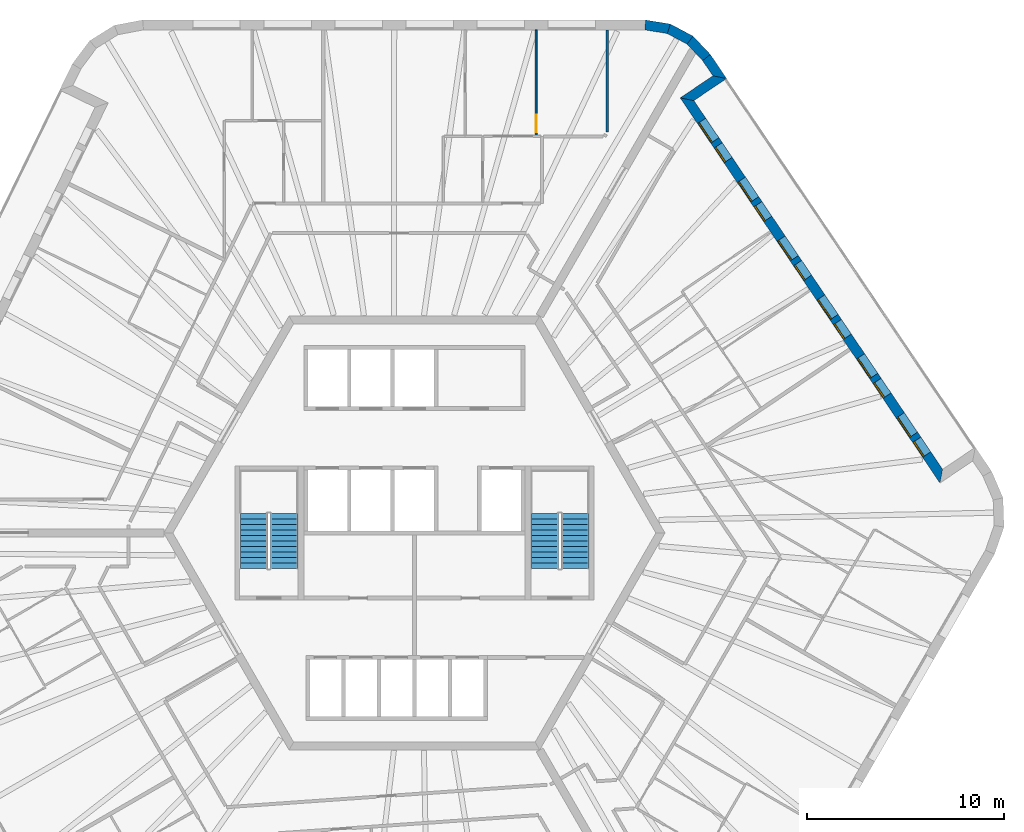
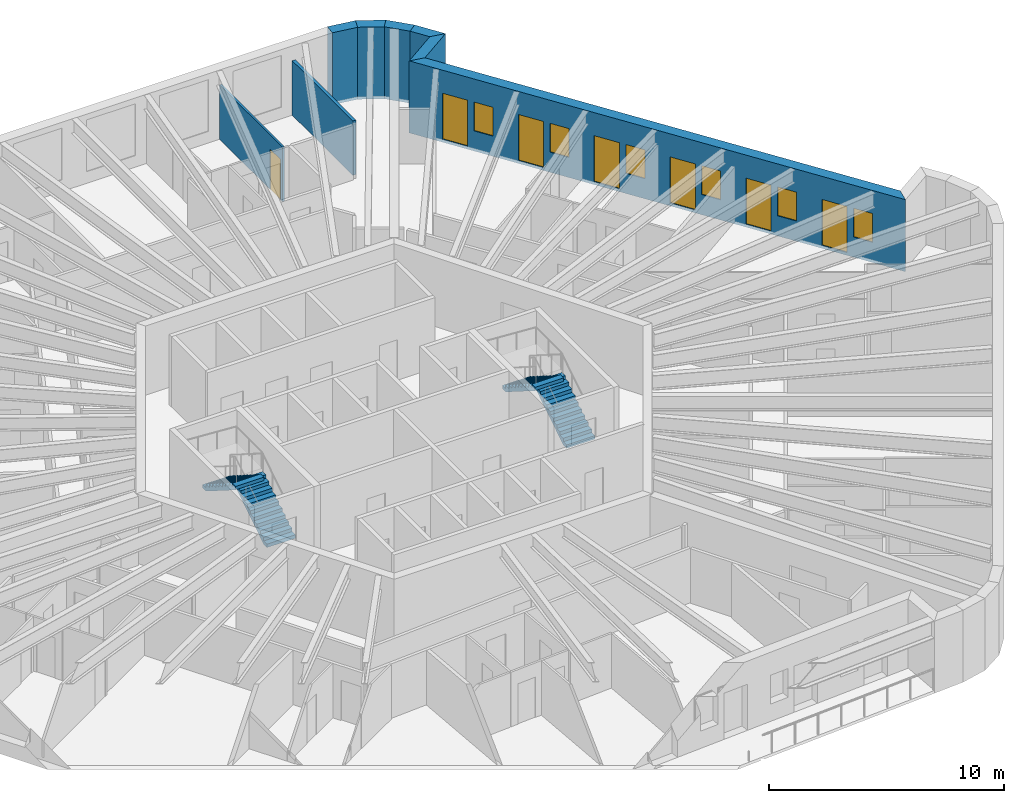
# One storey, part 11 of 12: 8 walls, 7 doors, 6 windows, 4 stair flights, 13 openings, 2 elements without a shape of their own.
"""IFC4 building model written with IfcOpenShell, lengths in metres."""

from ifc_helpers import new_model, si_unit, direction, frame, frame_2d, origin, place, context, subcontext, project, spatial, polyline, rectangle, outline, extrude, material, layer, layer_set, type_object, element, fill, aggregate, save


model = new_model("IFC4")

# Units and contexts
model_context = context("Model", 3, precision=1e-05, world=origin(), true_north=direction((0.0, 1.0)))
body_context = subcontext(model_context, "Body", "Model", "MODEL_VIEW")
ifc_project = project(units=[si_unit("LENGTHUNIT", "METRE"), si_unit("AREAUNIT", "SQUARE_METRE"), si_unit("VOLUMEUNIT", "CUBIC_METRE"), si_unit("PLANEANGLEUNIT", "RADIAN"), si_unit("MASSUNIT", "GRAM", prefix="KILO")], contexts=[model_context])

# Site, building, storey
site_placement = place(None, origin())
site = spatial("IfcSite", under=ifc_project, at=site_placement, CompositionType="ELEMENT")
building_placement = place(site_placement, origin())
building = spatial("IfcBuilding", under=site, at=building_placement, Name="Tarnside Tower", CompositionType="ELEMENT")
storey_placement = place(building_placement, frame((0.0, 0.0, 334.199951171875)))
storey = spatial("IfcBuildingStorey", under=building, at=storey_placement, Name="L81", CompositionType="ELEMENT", Elevation=334.199951171875)

# Wall
ifc_material_1 = material(Name="Gypsum board partition on steel studs", Category="steel")
ifc_layer_1 = layer(ifc_material_1, 0.14990234375)
ifc_layer_set_1 = layer_set([ifc_layer_1], Name="Corridor wall 150 EI 60")
wall_type_1 = type_object("IfcWallType", Name="Corridor wall 150 EI 60", PredefinedType="PARTITIONING", material=ifc_layer_set_1)
wall_1_placement = place(storey_placement, frame((9.775146484375, 25.5, 0.0), z_axis=(0.0, 0.0, 1.0), x_axis=(0.0, -1.0, 0.0)))
element("IfcWall", 1, at=wall_1_placement, inside=storey, type_object=wall_type_1, Name="Corridor wall 26005", PredefinedType="PARTITIONING", context=body_context, shape_type="SweptSolid", body=[
    extrude(rectangle(XDim=5.1689453125, YDim=0.14990234375, at=frame_2d((2.58447265625, 0.0))), origin(), (0.0, 0.0, 1.0), 2.837890625),
])

# Wall, openings, doors, windows
ifc_material_2 = material(Name="Dark zinc cladding")
ifc_layer_2 = layer(ifc_material_2, 0.10205078125)
ifc_material_3 = material(Name="Concrete C60/75 precast", Category="concrete")
ifc_layer_3 = layer(ifc_material_3, 0.298095703125)
ifc_material_4 = material(Name="Mineral wool insulation")
ifc_layer_4 = layer(ifc_material_4, 0.10009765625)
ifc_layer_set_2 = layer_set([ifc_layer_2, ifc_layer_3, ifc_layer_4], Name="Loggia wall 500 zinc faced")
wall_type_2 = type_object("IfcWallType", Name="Loggia wall 500 zinc faced", PredefinedType="SOLIDWALL", material=ifc_layer_set_2)
wall_2_placement = place(storey_placement, frame((26.705810546875, 2.87890625, -0.14990234375), z_axis=(0.0, 0.0, 1.0), x_axis=(-0.559197891507, 0.829034208061, 0.0)))
wall_2 = element("IfcWall", 2, at=wall_2_placement, inside=storey, type_object=wall_type_2, Name="Tube wall L81 F6 back 30", PredefinedType="SOLIDWALL", context=body_context, shape_type="SweptSolid", body=[
    extrude(outline(polyline([(0.25, -0.25), (22.794677734375, -0.25), (23.294677734375, 0.25), (-0.25, 0.25), (0.25, -0.25)])), origin(), (0.0, 0.0, 1.0), 3.75),
])
opening_1_placement = place(wall_2_placement, frame((1.322509765625, 0.0, 1.050048828125)))
opening_1 = element("IfcOpeningElement", 3, at=opening_1_placement, cuts=wall_2, Name="Opening WL500", PredefinedType="OPENING", context=body_context, shape_type="SweptSolid", body=[
    extrude(rectangle(XDim=0.89990234375, YDim=1.5, at=frame_2d((0.449951171875, 0.75))), frame((0.0, 0.260009765625, 0.0), z_axis=(0.0, -1.0, 0.0), x_axis=(1.0, 0.0, 0.0)), (0.0, 0.0, 1.0), 0.52001953125),
])
opening_2_placement = place(wall_2_placement, frame((2.5224609375, 0.0, 0.14990234375)))
opening_2 = element("IfcOpeningElement", 4, at=opening_2_placement, cuts=wall_2, Name="Opening DB500", PredefinedType="OPENING", context=body_context, shape_type="SweptSolid", body=[
    extrude(rectangle(XDim=1.199951171875, YDim=2.39990234375, at=frame_2d((0.60009765625, 1.199951171875))), frame((0.0, 0.260009765625, 0.0), z_axis=(0.0, -1.0, 0.0), x_axis=(1.0, 0.0, 0.0)), (0.0, 0.0, 1.0), 0.52001953125),
])
opening_3_placement = place(wall_2_placement, frame((4.92236328125, 0.0, 1.050048828125)))
opening_3 = element("IfcOpeningElement", 5, at=opening_3_placement, cuts=wall_2, Name="Opening WL500", PredefinedType="OPENING", context=body_context, shape_type="SweptSolid", body=[
    extrude(rectangle(XDim=0.89990234375, YDim=1.5, at=frame_2d((0.449951171875, 0.75))), frame((0.0, 0.260009765625, 0.0), z_axis=(0.0, -1.0, 0.0), x_axis=(1.0, 0.0, 0.0)), (0.0, 0.0, 1.0), 0.52001953125),
])
opening_4_placement = place(wall_2_placement, frame((6.122314453125, 0.0, 0.14990234375)))
opening_4 = element("IfcOpeningElement", 6, at=opening_4_placement, cuts=wall_2, Name="Opening DB500", PredefinedType="OPENING", context=body_context, shape_type="SweptSolid", body=[
    extrude(rectangle(XDim=1.199951171875, YDim=2.39990234375, at=frame_2d((0.60009765625, 1.199951171875))), frame((0.0, 0.260009765625, 0.0), z_axis=(0.0, -1.0, 0.0), x_axis=(1.0, 0.0, 0.0)), (0.0, 0.0, 1.0), 0.52001953125),
])
opening_5_placement = place(wall_2_placement, frame((8.5224609375, 0.0, 1.050048828125)))
opening_5 = element("IfcOpeningElement", 7, at=opening_5_placement, cuts=wall_2, Name="Opening WL500", PredefinedType="OPENING", context=body_context, shape_type="SweptSolid", body=[
    extrude(rectangle(XDim=0.89990234375, YDim=1.5, at=frame_2d((0.449951171875, 0.75))), frame((0.0, 0.260009765625, 0.0), z_axis=(0.0, -1.0, 0.0), x_axis=(1.0, 0.0, 0.0)), (0.0, 0.0, 1.0), 0.52001953125),
])
opening_6_placement = place(wall_2_placement, frame((9.722412109375, 0.0, 0.14990234375)))
opening_6 = element("IfcOpeningElement", 8, at=opening_6_placement, cuts=wall_2, Name="Opening DB500", PredefinedType="OPENING", context=body_context, shape_type="SweptSolid", body=[
    extrude(rectangle(XDim=1.199951171875, YDim=2.39990234375, at=frame_2d((0.60009765625, 1.199951171875))), frame((0.0, 0.260009765625, 0.0), z_axis=(0.0, -1.0, 0.0), x_axis=(1.0, 0.0, 0.0)), (0.0, 0.0, 1.0), 0.52001953125),
])
opening_7_placement = place(wall_2_placement, frame((12.122314453125, 0.0, 1.050048828125)))
opening_7 = element("IfcOpeningElement", 9, at=opening_7_placement, cuts=wall_2, Name="Opening WL500", PredefinedType="OPENING", context=body_context, shape_type="SweptSolid", body=[
    extrude(rectangle(XDim=0.89990234375, YDim=1.5, at=frame_2d((0.449951171875, 0.75))), frame((0.0, 0.260009765625, 0.0), z_axis=(0.0, -1.0, 0.0), x_axis=(1.0, 0.0, 0.0)), (0.0, 0.0, 1.0), 0.52001953125),
])
opening_8_placement = place(wall_2_placement, frame((13.322509765625, 0.0, 0.14990234375)))
opening_8 = element("IfcOpeningElement", 10, at=opening_8_placement, cuts=wall_2, Name="Opening DB500", PredefinedType="OPENING", context=body_context, shape_type="SweptSolid", body=[
    extrude(rectangle(XDim=1.199951171875, YDim=2.39990234375, at=frame_2d((0.60009765625, 1.199951171875))), frame((0.0, 0.260009765625, 0.0), z_axis=(0.0, -1.0, 0.0), x_axis=(1.0, 0.0, 0.0)), (0.0, 0.0, 1.0), 0.52001953125),
])
opening_9_placement = place(wall_2_placement, frame((15.722412109375, 0.0, 1.050048828125)))
opening_9 = element("IfcOpeningElement", 11, at=opening_9_placement, cuts=wall_2, Name="Opening WL500", PredefinedType="OPENING", context=body_context, shape_type="SweptSolid", body=[
    extrude(rectangle(XDim=0.89990234375, YDim=1.5, at=frame_2d((0.449951171875, 0.75))), frame((0.0, 0.260009765625, 0.0), z_axis=(0.0, -1.0, 0.0), x_axis=(1.0, 0.0, 0.0)), (0.0, 0.0, 1.0), 0.52001953125),
])
opening_10_placement = place(wall_2_placement, frame((16.92236328125, 0.0, 0.14990234375)))
opening_10 = element("IfcOpeningElement", 12, at=opening_10_placement, cuts=wall_2, Name="Opening DB500", PredefinedType="OPENING", context=body_context, shape_type="SweptSolid", body=[
    extrude(rectangle(XDim=1.199951171875, YDim=2.39990234375, at=frame_2d((0.60009765625, 1.199951171875))), frame((0.0, 0.260009765625, 0.0), z_axis=(0.0, -1.0, 0.0), x_axis=(1.0, 0.0, 0.0)), (0.0, 0.0, 1.0), 0.52001953125),
])
opening_11_placement = place(wall_2_placement, frame((19.322509765625, 0.0, 1.050048828125)))
opening_11 = element("IfcOpeningElement", 13, at=opening_11_placement, cuts=wall_2, Name="Opening WL500", PredefinedType="OPENING", context=body_context, shape_type="SweptSolid", body=[
    extrude(rectangle(XDim=0.89990234375, YDim=1.5, at=frame_2d((0.449951171875, 0.75))), frame((0.0, 0.260009765625, 0.0), z_axis=(0.0, -1.0, 0.0), x_axis=(1.0, 0.0, 0.0)), (0.0, 0.0, 1.0), 0.52001953125),
])
opening_12_placement = place(wall_2_placement, frame((20.5224609375, 0.0, 0.14990234375)))
opening_12 = element("IfcOpeningElement", 14, at=opening_12_placement, cuts=wall_2, Name="Opening DB500", PredefinedType="OPENING", context=body_context, shape_type="SweptSolid", body=[
    extrude(rectangle(XDim=1.199951171875, YDim=2.39990234375, at=frame_2d((0.60009765625, 1.199951171875))), frame((0.0, 0.260009765625, 0.0), z_axis=(0.0, -1.0, 0.0), x_axis=(1.0, 0.0, 0.0)), (0.0, 0.0, 1.0), 0.52001953125),
])
ifc_material_5 = material(Name="Aluminium-framed double glazing", Category="aluminium")
door_type_1 = type_object("IfcDoorType", Name="Balcony sliding door 1200 x 2400 in 500 wall", OperationType="SLIDING_TO_LEFT", PredefinedType="DOOR", material=ifc_material_5)
door_1_placement = place(opening_2_placement, frame((0.0, 0.1748046875, 0.0)))
door_1 = element("IfcDoor", 15, at=door_1_placement, inside=storey, type_object=door_type_1, Name="E.BD.L81.F6.00", OperationType="SLIDING_TO_LEFT", OverallHeight=2.39990234375, OverallWidth=1.199951171875, PredefinedType="DOOR", context=body_context, shape_type="SweptSolid", body=[
    extrude(rectangle(XDim=1.199951171875, YDim=2.39990234375, at=frame_2d((0.60009765625, 1.199951171875))), frame((0.0, 0.02490234375, 0.0), z_axis=(0.0, -1.0, 0.0), x_axis=(1.0, 0.0, 0.0)), (0.0, 0.0, 1.0), 0.050048828125),
])
fill(opening_2, door_1)
door_2_placement = place(opening_4_placement, frame((0.0, 0.1748046875, 0.0)))
door_2 = element("IfcDoor", 16, at=door_2_placement, inside=storey, type_object=door_type_1, Name="E.BD.L81.F6.01", OperationType="SLIDING_TO_LEFT", OverallHeight=2.39990234375, OverallWidth=1.199951171875, PredefinedType="DOOR", context=body_context, shape_type="SweptSolid", body=[
    extrude(rectangle(XDim=1.199951171875, YDim=2.39990234375, at=frame_2d((0.60009765625, 1.199951171875))), frame((0.0, 0.02490234375, 0.0), z_axis=(0.0, -1.0, 0.0), x_axis=(1.0, 0.0, 0.0)), (0.0, 0.0, 1.0), 0.050048828125),
])
fill(opening_4, door_2)
door_3_placement = place(opening_6_placement, frame((0.0, 0.1748046875, 0.0)))
door_3 = element("IfcDoor", 17, at=door_3_placement, inside=storey, type_object=door_type_1, Name="E.BD.L81.F6.02", OperationType="SLIDING_TO_LEFT", OverallHeight=2.39990234375, OverallWidth=1.199951171875, PredefinedType="DOOR", context=body_context, shape_type="SweptSolid", body=[
    extrude(rectangle(XDim=1.199951171875, YDim=2.39990234375, at=frame_2d((0.60009765625, 1.199951171875))), frame((0.0, 0.02490234375, 0.0), z_axis=(0.0, -1.0, 0.0), x_axis=(1.0, 0.0, 0.0)), (0.0, 0.0, 1.0), 0.050048828125),
])
fill(opening_6, door_3)
door_4_placement = place(opening_8_placement, frame((0.0, 0.1748046875, 0.0)))
door_4 = element("IfcDoor", 18, at=door_4_placement, inside=storey, type_object=door_type_1, Name="E.BD.L81.F6.03", OperationType="SLIDING_TO_LEFT", OverallHeight=2.39990234375, OverallWidth=1.199951171875, PredefinedType="DOOR", context=body_context, shape_type="SweptSolid", body=[
    extrude(rectangle(XDim=1.199951171875, YDim=2.39990234375, at=frame_2d((0.60009765625, 1.199951171875))), frame((0.0, 0.02490234375, 0.0), z_axis=(0.0, -1.0, 0.0), x_axis=(1.0, 0.0, 0.0)), (0.0, 0.0, 1.0), 0.050048828125),
])
fill(opening_8, door_4)
door_5_placement = place(opening_10_placement, frame((0.0, 0.1748046875, 0.0)))
door_5 = element("IfcDoor", 19, at=door_5_placement, inside=storey, type_object=door_type_1, Name="E.BD.L81.F6.04", OperationType="SLIDING_TO_LEFT", OverallHeight=2.39990234375, OverallWidth=1.199951171875, PredefinedType="DOOR", context=body_context, shape_type="SweptSolid", body=[
    extrude(rectangle(XDim=1.199951171875, YDim=2.39990234375, at=frame_2d((0.60009765625, 1.199951171875))), frame((0.0, 0.02490234375, 0.0), z_axis=(0.0, -1.0, 0.0), x_axis=(1.0, 0.0, 0.0)), (0.0, 0.0, 1.0), 0.050048828125),
])
fill(opening_10, door_5)
door_6_placement = place(opening_12_placement, frame((0.0, 0.1748046875, 0.0)))
door_6 = element("IfcDoor", 20, at=door_6_placement, inside=storey, type_object=door_type_1, Name="E.BD.L81.F6.05", OperationType="SLIDING_TO_LEFT", OverallHeight=2.39990234375, OverallWidth=1.199951171875, PredefinedType="DOOR", context=body_context, shape_type="SweptSolid", body=[
    extrude(rectangle(XDim=1.199951171875, YDim=2.39990234375, at=frame_2d((0.60009765625, 1.199951171875))), frame((0.0, 0.02490234375, 0.0), z_axis=(0.0, -1.0, 0.0), x_axis=(1.0, 0.0, 0.0)), (0.0, 0.0, 1.0), 0.050048828125),
])
fill(opening_12, door_6)
window_type = type_object("IfcWindowType", Name="Loggia window 900 x 1500 in 500 wall", PartitioningType="SINGLE_PANEL", PredefinedType="WINDOW", material=ifc_material_5)
window_1_placement = place(opening_1_placement, frame((0.0, 0.179931640625, 0.0)))
window_1 = element("IfcWindow", 21, at=window_1_placement, inside=storey, type_object=window_type, Name="E.LW.L81.F6.00", OverallHeight=1.5, OverallWidth=0.89990234375, PartitioningType="SINGLE_PANEL", PredefinedType="WINDOW", context=body_context, shape_type="SweptSolid", body=[
    extrude(rectangle(XDim=0.89990234375, YDim=1.5, at=frame_2d((0.449951171875, 0.75))), frame((0.0, 0.030029296875, 0.0), z_axis=(0.0, -1.0, 0.0), x_axis=(1.0, 0.0, 0.0)), (0.0, 0.0, 1.0), 0.06005859375),
])
fill(opening_1, window_1)
window_2_placement = place(opening_3_placement, frame((0.0, 0.179931640625, 0.0)))
window_2 = element("IfcWindow", 22, at=window_2_placement, inside=storey, type_object=window_type, Name="E.LW.L81.F6.01", OverallHeight=1.5, OverallWidth=0.89990234375, PartitioningType="SINGLE_PANEL", PredefinedType="WINDOW", context=body_context, shape_type="SweptSolid", body=[
    extrude(rectangle(XDim=0.89990234375, YDim=1.5, at=frame_2d((0.449951171875, 0.75))), frame((0.0, 0.030029296875, 0.0), z_axis=(0.0, -1.0, 0.0), x_axis=(1.0, 0.0, 0.0)), (0.0, 0.0, 1.0), 0.06005859375),
])
fill(opening_3, window_2)
window_3_placement = place(opening_5_placement, frame((0.0, 0.179931640625, 0.0)))
window_3 = element("IfcWindow", 23, at=window_3_placement, inside=storey, type_object=window_type, Name="E.LW.L81.F6.02", OverallHeight=1.5, OverallWidth=0.89990234375, PartitioningType="SINGLE_PANEL", PredefinedType="WINDOW", context=body_context, shape_type="SweptSolid", body=[
    extrude(rectangle(XDim=0.89990234375, YDim=1.5, at=frame_2d((0.449951171875, 0.75))), frame((0.0, 0.030029296875, 0.0), z_axis=(0.0, -1.0, 0.0), x_axis=(1.0, 0.0, 0.0)), (0.0, 0.0, 1.0), 0.06005859375),
])
fill(opening_5, window_3)
window_4_placement = place(opening_7_placement, frame((0.0, 0.179931640625, 0.0)))
window_4 = element("IfcWindow", 24, at=window_4_placement, inside=storey, type_object=window_type, Name="E.LW.L81.F6.03", OverallHeight=1.5, OverallWidth=0.89990234375, PartitioningType="SINGLE_PANEL", PredefinedType="WINDOW", context=body_context, shape_type="SweptSolid", body=[
    extrude(rectangle(XDim=0.89990234375, YDim=1.5, at=frame_2d((0.449951171875, 0.75))), frame((0.0, 0.030029296875, 0.0), z_axis=(0.0, -1.0, 0.0), x_axis=(1.0, 0.0, 0.0)), (0.0, 0.0, 1.0), 0.06005859375),
])
fill(opening_7, window_4)
window_5_placement = place(opening_9_placement, frame((0.0, 0.179931640625, 0.0)))
window_5 = element("IfcWindow", 25, at=window_5_placement, inside=storey, type_object=window_type, Name="E.LW.L81.F6.04", OverallHeight=1.5, OverallWidth=0.89990234375, PartitioningType="SINGLE_PANEL", PredefinedType="WINDOW", context=body_context, shape_type="SweptSolid", body=[
    extrude(rectangle(XDim=0.89990234375, YDim=1.5, at=frame_2d((0.449951171875, 0.75))), frame((0.0, 0.030029296875, 0.0), z_axis=(0.0, -1.0, 0.0), x_axis=(1.0, 0.0, 0.0)), (0.0, 0.0, 1.0), 0.06005859375),
])
fill(opening_9, window_5)
window_6_placement = place(opening_11_placement, frame((0.0, 0.179931640625, 0.0)))
window_6 = element("IfcWindow", 26, at=window_6_placement, inside=storey, type_object=window_type, Name="E.LW.L81.F6.05", OverallHeight=1.5, OverallWidth=0.89990234375, PartitioningType="SINGLE_PANEL", PredefinedType="WINDOW", context=body_context, shape_type="SweptSolid", body=[
    extrude(rectangle(XDim=0.89990234375, YDim=1.5, at=frame_2d((0.449951171875, 0.75))), frame((0.0, 0.030029296875, 0.0), z_axis=(0.0, -1.0, 0.0), x_axis=(1.0, 0.0, 0.0)), (0.0, 0.0, 1.0), 0.06005859375),
])
fill(opening_11, window_6)

# Walls
wall_3_placement = place(storey_placement, frame((13.8193359375, 21.983642578125, -0.14990234375), z_axis=(0.0, 0.0, 1.0), x_axis=(0.829052389485, 0.559170935841, 0.0)))
element("IfcWall", 27, at=wall_3_placement, inside=storey, type_object=wall_type_2, Name="Tube wall L81 F6 return 31", PredefinedType="SOLIDWALL", context=body_context, shape_type="SweptSolid", body=[
    extrude(outline(polyline([(0.25, -0.25), (2.25, -0.25), (1.75, 0.25), (-0.25, 0.25), (0.25, -0.25)])), origin(), (0.0, 0.0, 1.0), 3.75),
])
wall_4_placement = place(storey_placement, frame((15.4775390625, 23.10205078125, -0.14990234375), z_axis=(0.0, 0.0, 1.0), x_axis=(-0.559245726333, 0.829001940636, 0.0)))
element("IfcWall", 28, at=wall_4_placement, inside=storey, type_object=wall_type_2, Name="Tube wall L81 F6 stub 32", PredefinedType="SOLIDWALL", context=body_context, shape_type="SweptSolid", body=[
    extrude(outline(polyline([(-0.25, -0.25), (1.220703125, -0.25), (1.1796875, 0.25), (0.25, 0.25), (-0.25, -0.25)])), origin(), (0.0, 0.0, 1.0), 3.75),
])

# Wall, opening, door
ifc_layer_5 = layer(ifc_material_1, 0.10009765625)
ifc_layer_set_3 = layer_set([ifc_layer_5], Name="Partition 100")
wall_type_3 = type_object("IfcWallType", Name="Partition 100", PredefinedType="PARTITIONING", material=ifc_layer_set_3)
wall_5_placement = place(storey_placement, frame((6.17529296875, 25.5, 0.0), z_axis=(0.0, 0.0, 1.0), x_axis=(0.0, -1.0, 0.0)))
wall_5 = element("IfcWall", 29, at=wall_5_placement, inside=storey, type_object=wall_type_3, Name="Partition wall 26093", PredefinedType="PARTITIONING", context=body_context, shape_type="SweptSolid", body=[
    extrude(rectangle(XDim=5.35009765625, YDim=0.10009765625, at=frame_2d((2.675048828125, 0.0))), origin(), (0.0, 0.0, 1.0), 2.837890625),
])
opening_13_placement = place(wall_5_placement, frame((4.300048828125, 0.0, 0.0)))
opening_13 = element("IfcOpeningElement", 30, at=opening_13_placement, cuts=wall_5, Name="Opening D-I1", PredefinedType="OPENING", context=body_context, shape_type="SweptSolid", body=[
    extrude(rectangle(XDim=0.89990234375, YDim=2.10009765625, at=frame_2d((0.449951171875, 1.050048828125))), frame((0.0, 0.06005859375, 0.0), z_axis=(0.0, -1.0, 0.0), x_axis=(1.0, 0.0, 0.0)), (0.0, 0.0, 1.0), 0.1201171875),
])
ifc_material_6 = material(Name="Timber door leaf", Category="wood")
door_type_2 = type_object("IfcDoorType", Name="Internal door 900", OperationType="NOTDEFINED", PredefinedType="DOOR", material=ifc_material_6)
door_7_placement = place(opening_13_placement, origin())
door_7 = element("IfcDoor", 31, at=door_7_placement, inside=storey, type_object=door_type_2, Name="Internal door 26008", OperationType="SINGLE_SWING_RIGHT", OverallHeight=2.10009765625, OverallWidth=0.89990234375, PredefinedType="DOOR", context=body_context, shape_type="SweptSolid", body=[
    extrude(rectangle(XDim=0.89990234375, YDim=2.10009765625, at=frame_2d((0.449951171875, 1.050048828125))), frame((0.0, 0.02490234375, 0.0), z_axis=(0.0, -1.0, 0.0), x_axis=(1.0, 0.0, 0.0)), (0.0, 0.0, 1.0), 0.050048828125),
])
fill(opening_13, door_7)

# Walls
ifc_material_7 = material(Name="Facing brick", Category="masonry")
ifc_layer_6 = layer(ifc_material_7, 0.10205078125)
ifc_layer_7 = layer(ifc_material_3, 0.298095703125)
ifc_layer_8 = layer(ifc_material_4, 0.10009765625)
ifc_layer_set_4 = layer_set([ifc_layer_6, ifc_layer_7, ifc_layer_8], Name="Tube wall 500 brick faced")
wall_type_4 = type_object("IfcWallType", Name="Tube wall 500 brick faced", PredefinedType="SOLIDWALL", material=ifc_layer_set_4)
wall_6_placement = place(storey_placement, frame((14.806396484375, 24.096923828125, -0.14990234375), z_axis=(0.0, 0.0, 1.0), x_axis=(-0.686234452793, 0.727380420275, 0.0)))
element("IfcWall", 32, at=wall_6_placement, inside=storey, type_object=wall_type_4, Name="Tube wall L81 F6 chord 33", PredefinedType="SOLIDWALL", context=body_context, shape_type="SweptSolid", body=[
    extrude(outline(polyline([(-0.0205078125, -0.25), (1.25732421875, -0.25), (1.17529296875, 0.25), (0.0205078125, 0.25), (-0.0205078125, -0.25)])), origin(), (0.0, 0.0, 1.0), 3.75),
])
wall_7_placement = place(storey_placement, frame((13.9716796875, 24.981689453125, -0.14990234375), z_axis=(0.0, 0.0, 1.0), x_axis=(-0.882902492938, 0.469556373575, 0.0)))
element("IfcWall", 33, at=wall_7_placement, inside=storey, type_object=wall_type_4, Name="Tube wall L81 F6 chord 34", PredefinedType="SOLIDWALL", context=body_context, shape_type="SweptSolid", body=[
    extrude(outline(polyline([(-0.041015625, -0.25), (1.257080078125, -0.25), (1.175048828125, 0.25), (0.041015625, 0.25), (-0.041015625, -0.25)])), origin(), (0.0, 0.0, 1.0), 3.75),
])
wall_8_placement = place(storey_placement, frame((12.89794921875, 25.552734375, -0.14990234375), z_axis=(0.0, 0.0, 1.0), x_axis=(-0.986765617372, 0.16215306464, 0.0)))
element("IfcWall", 34, at=wall_8_placement, inside=storey, type_object=wall_type_4, Name="Tube wall L81 F6 chord 35", PredefinedType="SOLIDWALL", context=body_context, shape_type="SweptSolid", body=[
    extrude(outline(polyline([(-0.041015625, -0.25), (1.237060546875, -0.25), (1.196044921875, 0.25), (0.041015625, 0.25), (-0.041015625, -0.25)])), origin(), (0.0, 0.0, 1.0), 3.75),
])

# Stair, stair flights
ifc_material_8 = material(Name="Concrete C40/50", Category="concrete")
stair_type = type_object("IfcStairType", Name="Exit stair 1400 clear", PredefinedType="HALF_TURN_STAIR", material=ifc_material_8)
stair_1_placement = place(storey_placement, origin())
stair_1 = element("IfcStair", 35, at=stair_1_placement, inside=storey, type_object=stair_type, Name="L81 Exit stair 1", PredefinedType="HALF_TURN_STAIR")
stair_flight_type = type_object("IfcStairFlightType", Name="Exit stair flight 1400", PredefinedType="STRAIGHT", material=ifc_material_8)
stair_flight_1_placement = place(storey_placement, frame((8.14990234375, -1.800048828125, 0.0), z_axis=(0.0, 0.0, 1.0), x_axis=(0.0, 1.0, 0.0)))
stair_flight_1 = element("IfcStairFlight", 36, at=stair_flight_1_placement, type_object=stair_flight_type, Name="ST1 flight 1", NumberOfRisers=11, NumberOfTreads=10, PredefinedType="STRAIGHT", RiserHeight=0.177272727, TreadLength=0.28, context=body_context, shape_type="SweptSolid", body=[
    extrude(outline(polyline([(0.0, 0.0), (0.0, 0.17724609375), (0.280029296875, 0.17724609375), (0.280029296875, 0.3544921875), (0.56005859375, 0.3544921875), (0.56005859375, 0.53173828125), (0.840087890625, 0.53173828125), (0.840087890625, 0.708984375), (1.1201171875, 0.708984375), (1.1201171875, 0.886474609375), (1.39990234375, 0.886474609375), (1.39990234375, 1.063720703125), (1.679931640625, 1.063720703125), (1.679931640625, 1.240966796875), (1.9599609375, 1.240966796875), (1.9599609375, 1.418212890625), (2.239990234375, 1.418212890625), (2.239990234375, 1.595458984375), (2.52001953125, 1.595458984375), (2.52001953125, 1.772705078125), (2.800048828125, 1.772705078125), (2.800048828125, 1.949951171875), (2.800048828125, 1.59521484375), (0.2802734375, 0.0), (0.0, 0.0)])), frame((0.0, 0.699951171875, 0.0), z_axis=(0.0, -1.0, 0.0), x_axis=(1.0, 0.0, 0.0)), (0.0, 0.0, 1.0), 1.39990234375),
])
stair_flight_2_placement = place(storey_placement, frame((6.60009765625, 1.0, 1.949951171875), z_axis=(0.0, 0.0, 1.0), x_axis=(0.0, -1.0, 0.0)))
stair_flight_2 = element("IfcStairFlight", 37, at=stair_flight_2_placement, type_object=stair_flight_type, Name="ST1 flight 2", NumberOfRisers=11, NumberOfTreads=10, PredefinedType="STRAIGHT", RiserHeight=0.177272727, TreadLength=0.28, context=body_context, shape_type="SweptSolid", body=[
    extrude(outline(polyline([(0.0, 0.0), (0.0, 0.17724609375), (0.280029296875, 0.17724609375), (0.280029296875, 0.3544921875), (0.56005859375, 0.3544921875), (0.56005859375, 0.53173828125), (0.840087890625, 0.53173828125), (0.840087890625, 0.708984375), (1.1201171875, 0.708984375), (1.1201171875, 0.886474609375), (1.39990234375, 0.886474609375), (1.39990234375, 1.063720703125), (1.679931640625, 1.063720703125), (1.679931640625, 1.240966796875), (1.9599609375, 1.240966796875), (1.9599609375, 1.418212890625), (2.239990234375, 1.418212890625), (2.239990234375, 1.595458984375), (2.52001953125, 1.595458984375), (2.52001953125, 1.772705078125), (2.800048828125, 1.772705078125), (2.800048828125, 1.949951171875), (2.800048828125, 1.59521484375), (0.2802734375, 0.0), (0.0, 0.0)])), frame((0.0, 0.699951171875, 0.0), z_axis=(0.0, -1.0, 0.0), x_axis=(1.0, 0.0, 0.0)), (0.0, 0.0, 1.0), 1.39990234375),
])
aggregate(stair_1, [stair_flight_1, stair_flight_2])

stair_2_placement = place(storey_placement, origin())
stair_2 = element("IfcStair", 38, at=stair_2_placement, inside=storey, type_object=stair_type, Name="L81 Exit stair 2", PredefinedType="HALF_TURN_STAIR")
stair_flight_3_placement = place(storey_placement, frame((-6.60009765625, -1.800048828125, 0.0), z_axis=(0.0, 0.0, 1.0), x_axis=(0.0, 1.0, 0.0)))
stair_flight_3 = element("IfcStairFlight", 39, at=stair_flight_3_placement, type_object=stair_flight_type, Name="ST2 flight 1", NumberOfRisers=11, NumberOfTreads=10, PredefinedType="STRAIGHT", RiserHeight=0.177272727, TreadLength=0.28, context=body_context, shape_type="SweptSolid", body=[
    extrude(outline(polyline([(0.0, 0.0), (0.0, 0.17724609375), (0.280029296875, 0.17724609375), (0.280029296875, 0.3544921875), (0.56005859375, 0.3544921875), (0.56005859375, 0.53173828125), (0.840087890625, 0.53173828125), (0.840087890625, 0.708984375), (1.1201171875, 0.708984375), (1.1201171875, 0.886474609375), (1.39990234375, 0.886474609375), (1.39990234375, 1.063720703125), (1.679931640625, 1.063720703125), (1.679931640625, 1.240966796875), (1.9599609375, 1.240966796875), (1.9599609375, 1.418212890625), (2.239990234375, 1.418212890625), (2.239990234375, 1.595458984375), (2.52001953125, 1.595458984375), (2.52001953125, 1.772705078125), (2.800048828125, 1.772705078125), (2.800048828125, 1.949951171875), (2.800048828125, 1.59521484375), (0.2802734375, 0.0), (0.0, 0.0)])), frame((0.0, 0.699951171875, 0.0), z_axis=(0.0, -1.0, 0.0), x_axis=(1.0, 0.0, 0.0)), (0.0, 0.0, 1.0), 1.39990234375),
])
stair_flight_4_placement = place(storey_placement, frame((-8.14990234375, 1.0, 1.949951171875), z_axis=(0.0, 0.0, 1.0), x_axis=(0.0, -1.0, 0.0)))
stair_flight_4 = element("IfcStairFlight", 40, at=stair_flight_4_placement, type_object=stair_flight_type, Name="ST2 flight 2", NumberOfRisers=11, NumberOfTreads=10, PredefinedType="STRAIGHT", RiserHeight=0.177272727, TreadLength=0.28, context=body_context, shape_type="SweptSolid", body=[
    extrude(outline(polyline([(0.0, 0.0), (0.0, 0.17724609375), (0.280029296875, 0.17724609375), (0.280029296875, 0.3544921875), (0.56005859375, 0.3544921875), (0.56005859375, 0.53173828125), (0.840087890625, 0.53173828125), (0.840087890625, 0.708984375), (1.1201171875, 0.708984375), (1.1201171875, 0.886474609375), (1.39990234375, 0.886474609375), (1.39990234375, 1.063720703125), (1.679931640625, 1.063720703125), (1.679931640625, 1.240966796875), (1.9599609375, 1.240966796875), (1.9599609375, 1.418212890625), (2.239990234375, 1.418212890625), (2.239990234375, 1.595458984375), (2.52001953125, 1.595458984375), (2.52001953125, 1.772705078125), (2.800048828125, 1.772705078125), (2.800048828125, 1.949951171875), (2.800048828125, 1.59521484375), (0.2802734375, 0.0), (0.0, 0.0)])), frame((0.0, 0.699951171875, 0.0), z_axis=(0.0, -1.0, 0.0), x_axis=(1.0, 0.0, 0.0)), (0.0, 0.0, 1.0), 1.39990234375),
])
aggregate(stair_2, [stair_flight_3, stair_flight_4])

save(model, "model.ifc")
